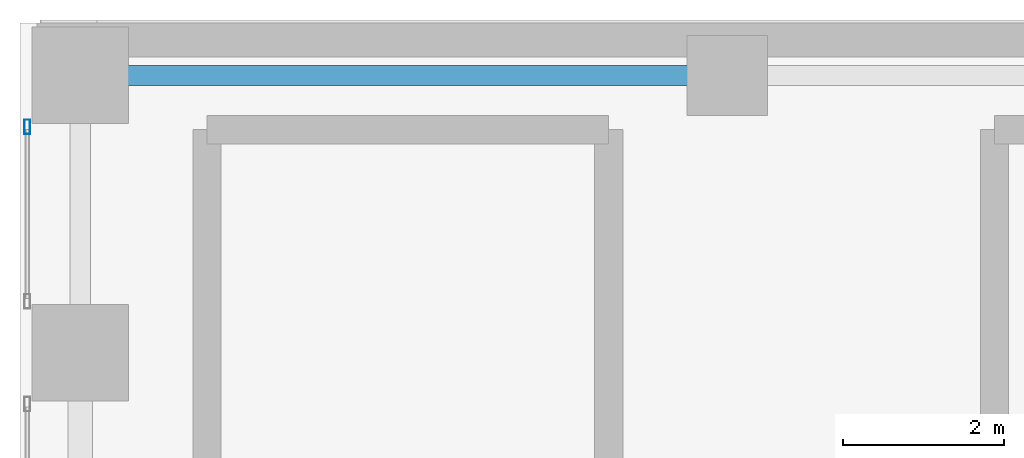
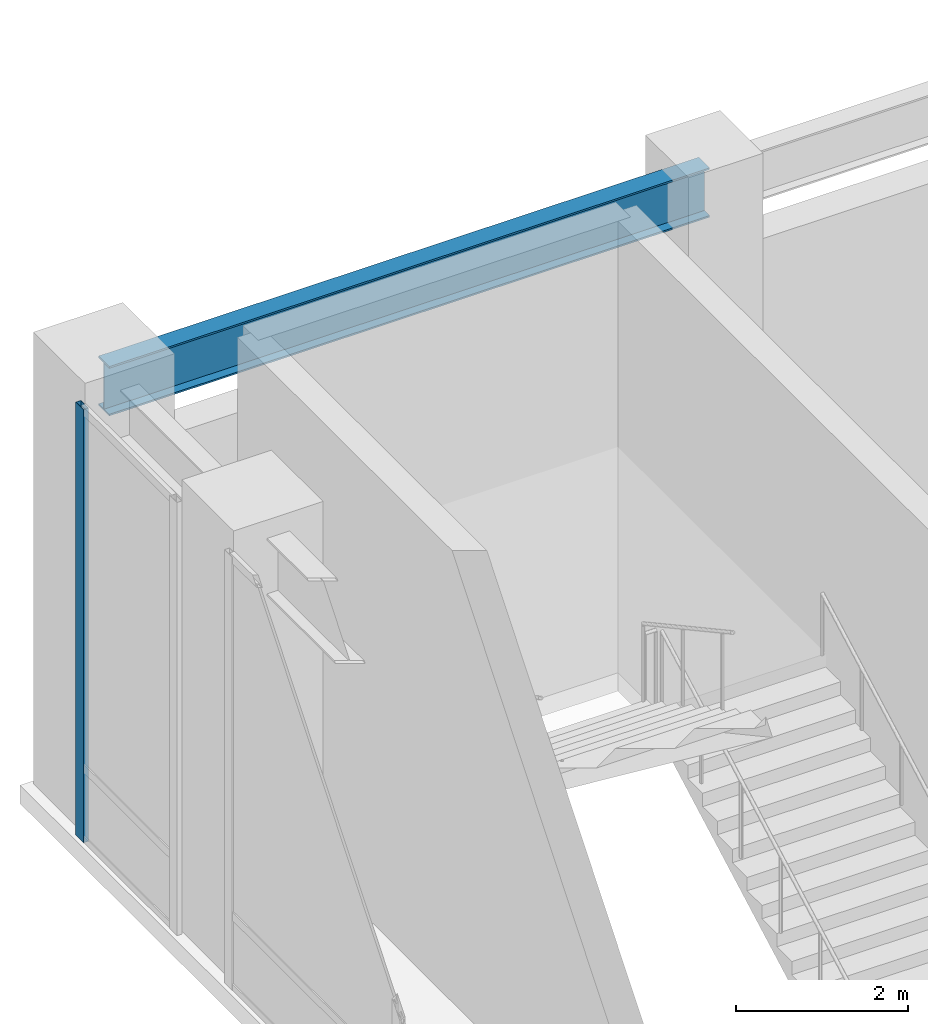
# One storey, part 32 of 50: 1 beam, 1 member, 1 element without a shape of its own.
"""IFC4 building model written with IfcOpenShell, lengths in metres."""

from ifc_helpers import new_model, si_unit, direction, frame, origin, origin_2d, place, context, subcontext, project, spatial, hollow_rectangle, i_section, extrude, source, transform, mapped, material, layer, layer_set, material_profile, profile_set, type_object, type_shapes, element, aggregate, save


model = new_model("IFC4")

# Units and contexts
model_context = context("Model", 3, precision=1e-05, world=origin(), true_north=direction((0.0, 1.0)))
body_context = subcontext(model_context, "Body", "Model", "MODEL_VIEW")
ifc_project = project(units=[si_unit("LENGTHUNIT", "METRE"), si_unit("AREAUNIT", "SQUARE_METRE"), si_unit("VOLUMEUNIT", "CUBIC_METRE"), si_unit("PLANEANGLEUNIT", "RADIAN"), si_unit("MASSUNIT", "GRAM", prefix="KILO")], contexts=[model_context])

# Site, building, storey
site_placement = place(None, origin())
site = spatial("IfcSite", under=ifc_project, at=site_placement, CompositionType="ELEMENT")
building_placement = place(site_placement, origin())
building = spatial("IfcBuilding", under=site, at=building_placement, Name="Tolvann Quenvar Hotel", CompositionType="ELEMENT")
storey_placement = place(building_placement, frame((0.0, 0.0, 16.0)))
storey = spatial("IfcBuildingStorey", under=building, at=storey_placement, Name="L03", CompositionType="ELEMENT", Elevation=16.0)

# Beam
ifc_material_1 = material(Name="Steel Grade 350", Category="steel")
ifc_material_profile_1 = material_profile(ifc_material_1, i_section(OverallWidth=0.25, OverallDepth=0.699951171875, WebThickness=0.010009765625, FlangeThickness=0.02392578125, at=origin_2d()), Name="700WB150")
ifc_profile_set_1 = profile_set([ifc_material_profile_1], Name="Steel Grade 350")
beam_type = type_object("IfcBeamType", Name="BM_GIRD_700WB150", PredefinedType="BEAM", material=ifc_profile_set_1)
shared_shape_1 = source(origin(), body_context, "Body", "SweptSolid", [
    extrude(i_section(OverallWidth=0.25, OverallDepth=0.699951171875, WebThickness=0.010009765625, FlangeThickness=0.02392578125, at=origin_2d()), origin(), (0.0, 0.0, 1.0), 8.0498046875),
])
type_shapes(beam_type, [shared_shape_1])
beam_placement = place(storey_placement, frame((-7.64990234375, 47.85009765625, 5.7900390625), z_axis=(1.0, 0.0, 0.0), x_axis=(0.0, 1.0, 0.0)))
element("IfcBeam", 1, at=beam_placement, inside=storey, type_object=beam_type, Name="BM-L03-EWN-0", PredefinedType="BEAM", context=body_context, shape_type="MappedRepresentation", body=[
    mapped(shared_shape_1, transform((0.0, 0.0, 0.0), x_axis=(1.0, 0.0, 0.0), y_axis=(0.0, 1.0, 0.0), z_axis=(0.0, 0.0, 1.0), scale=1.0)),
])

# Curtain wall, member
ifc_material_2 = material(Name="Thermally broken anodised architectural aluminium 6063-T6 and laminated low-E glass", Category="aluminium")
ifc_layer = layer(ifc_material_2, 0.179931640625)
ifc_layer_set = layer_set([ifc_layer], Name="Thermally broken anodised architectural aluminium 6063-T6 and laminated low-E glass")
curtain_wall_type = type_object("IfcCurtainWallType", Name="CW_SYS_BALL_02", PredefinedType="USERDEFINED", material=ifc_layer_set)
curtain_wall_placement = place(storey_placement, origin())
curtain_wall = element("IfcCurtainWall", 2, at=curtain_wall_placement, inside=storey, type_object=curtain_wall_type, Name="Curtain Wall CW-BALL-02 (CWR-L03-E07-S1)", ObjectType="UNITISED CURTAIN WALL", PredefinedType="USERDEFINED")
ifc_material_3 = material(Name="Anodised architectural aluminium 6063-T6 framing", Category="aluminium")
ifc_material_profile_2 = material_profile(ifc_material_3, hollow_rectangle(XDim=0.070068359375, YDim=0.179931640625, WallThickness=0.00390625, at=origin_2d()), Name="180x70x4RHS")
ifc_profile_set_2 = profile_set([ifc_material_profile_2], Name="Anodised architectural aluminium 6063-T6 framing")
member_type = type_object("IfcMemberType", Name="CW_MULL_180x70", PredefinedType="MULLION", material=ifc_profile_set_2)
shared_shape_2 = source(origin(), body_context, "Body", "SweptSolid", [
    extrude(hollow_rectangle(XDim=0.070068359375, YDim=0.179931640625, WallThickness=0.00390625, at=origin_2d()), origin(), (0.0, 0.0, 1.0), 6.139892578125),
])
type_shapes(member_type, [shared_shape_2])
member_placement = place(storey_placement, frame((-8.31005859375, 47.2109375, 0.0), z_axis=(0.0, 0.0, 1.0), x_axis=(1.0, 0.0, 0.0)))
member = element("IfcMember", 3, at=member_placement, type_object=member_type, Name="CW-BALL-02 mullion 1", PredefinedType="MULLION", context=body_context, shape_type="MappedRepresentation", body=[
    mapped(shared_shape_2, transform((0.0, 0.0, 0.0), x_axis=(1.0, 0.0, 0.0), y_axis=(0.0, 1.0, 0.0), z_axis=(0.0, 0.0, 1.0), scale=1.0)),
])
aggregate(curtain_wall, [member])

save(model, "model.ifc")
